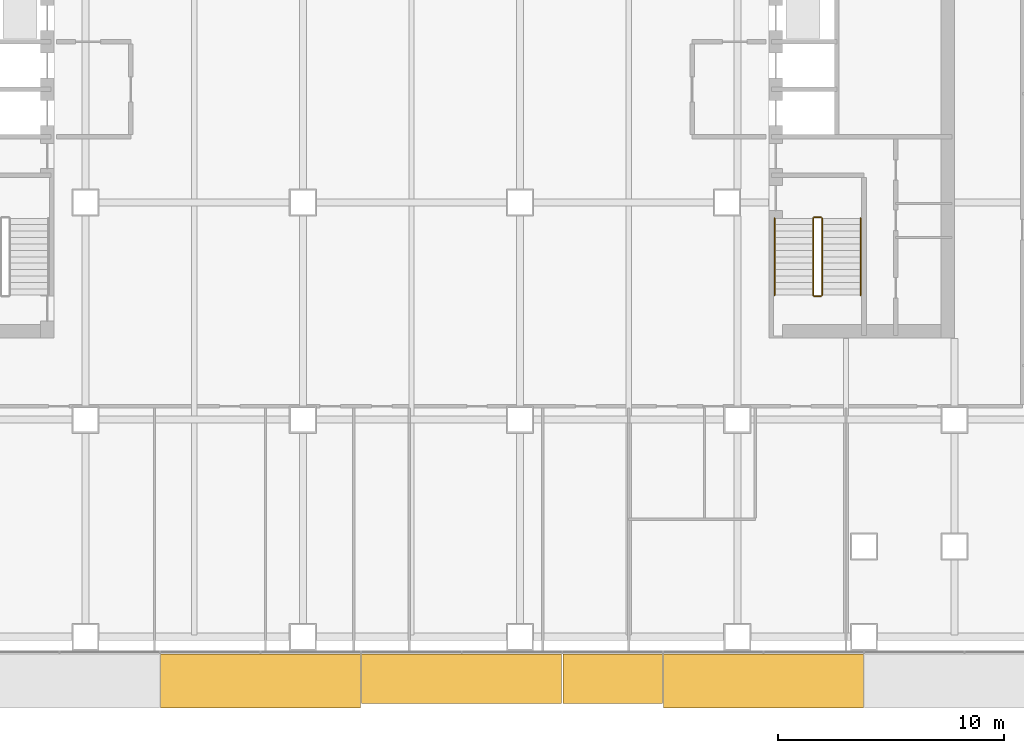
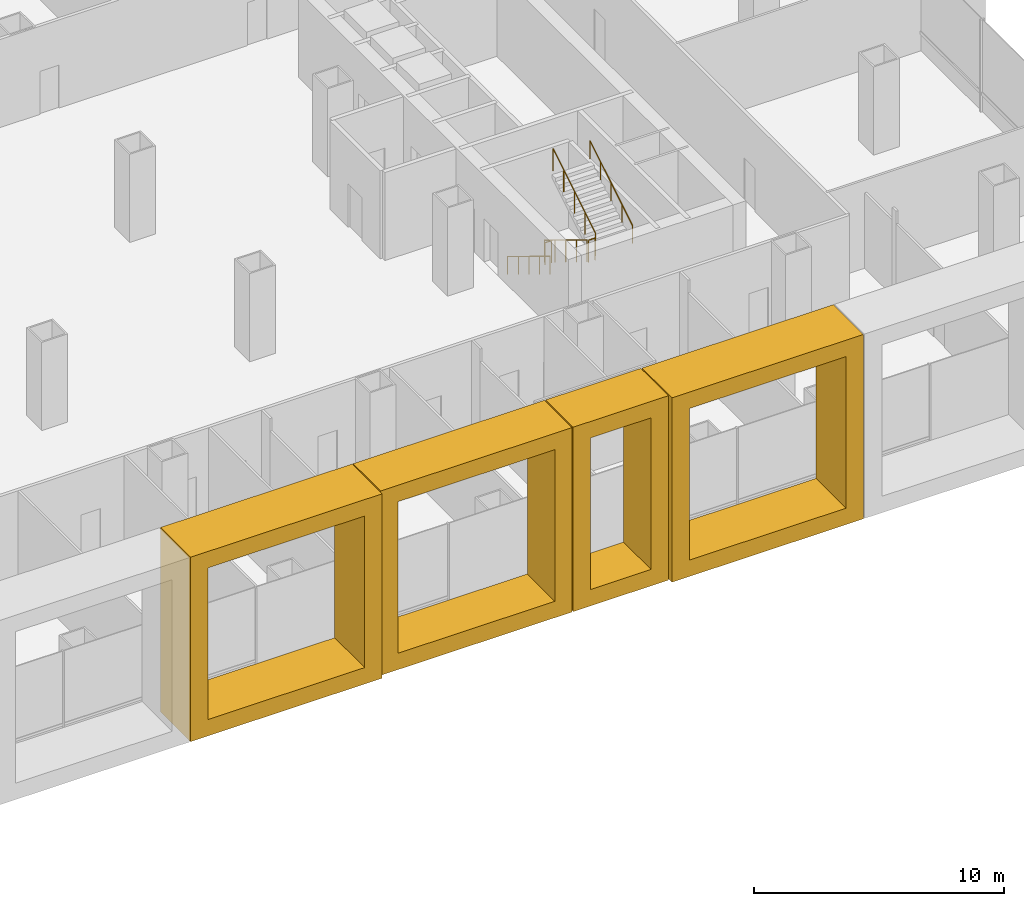
# One storey, part 21 of 23: 6 railings, 4 coverings.
"""IFC4 building model written with IfcOpenShell, lengths in metres."""

import ifcopenshell
import ifcopenshell.guid

model = None  # the IFC model being written
_history = None  # IfcOwnerHistory: only IFC2X3 demands one
_inside = {}  # id of a spatial element -> (the spatial element, [elements in it])
_under = {}  # id of a project, library or spatial element -> (it, [spatial elements below it])
_declared = {}  # id of a project -> (the project, [libraries it declares])
_typed = {}  # id of a type object -> (the type object, [elements of that type])
_made_of = {}  # id of a material, layer set ... -> (it, [elements and type objects made of it])


def new_model(schema):
    """Start an empty IFC model of exactly this schema.

    Asked for "IFC4X3", IfcOpenShell would pick the latest addendum, in which some entities
    have other attributes; the version numbers below select the first issue.
    IFC2X3 requires an IfcOwnerHistory on every rooted entity: one is made here for all.
    """
    global model, _history
    if schema == "IFC4X3":
        model = ifcopenshell.file(schema_version=(4, 3, 0, 0))
    else:
        model = ifcopenshell.file(schema=schema)
    _inside.clear()
    _under.clear()
    _declared.clear()
    _typed.clear()
    _made_of.clear()
    _history = None
    if model.schema == "IFC2X3":
        org = make("IfcOrganization", Name="unknown")
        user = make(
            "IfcPersonAndOrganization",
            ThePerson=make("IfcPerson", FamilyName="unknown"),
            TheOrganization=org,
        )
        app = make(
            "IfcApplication",
            ApplicationDeveloper=org,
            Version="unknown",
            ApplicationFullName="unknown",
            ApplicationIdentifier="unknown",
        )
        _history = make(
            "IfcOwnerHistory",
            OwningUser=user,
            OwningApplication=app,
            ChangeAction="ADDED",
            CreationDate=0,
        )
    return model


def make(cls, **values):
    """One entity of the class cls with the attributes given. An attribute that is None is left unset."""
    return model.create_entity(
        cls, **{name: value for name, value in values.items() if value is not None}
    )


def rooted(cls, **values):
    """An entity with a GlobalId (a new one), such as an element, a storey or a relation."""
    return make(cls, GlobalId=ifcopenshell.guid.new(), OwnerHistory=_history, **values)


def si_unit(unit_type, name, prefix=None):
    """IfcSIUnit, for example si_unit("LENGTHUNIT", "METRE", prefix="MILLI")."""
    return make("IfcSIUnit", UnitType=unit_type, Prefix=prefix, Name=name)


def assignment(units):
    """IfcUnitAssignment: the units of a project."""
    return None if units is None else make("IfcUnitAssignment", Units=units)


def point(xyz):
    """IfcCartesianPoint."""
    return None if xyz is None else make("IfcCartesianPoint", Coordinates=xyz)


def direction(xyz):
    """IfcDirection."""
    return None if xyz is None else make("IfcDirection", DirectionRatios=xyz)


def frame(location, z_axis=None, x_axis=None):
    """IfcAxis2Placement3D, a coordinate frame: its origin and axes. An axis left out is left unset."""
    return make(
        "IfcAxis2Placement3D",
        Location=point(location),
        Axis=direction(z_axis),
        RefDirection=direction(x_axis),
    )


def frame_2d(location, x_axis=None):
    """IfcAxis2Placement2D, a coordinate frame in the plane: its origin and x axis."""
    return make(
        "IfcAxis2Placement2D", Location=point(location), RefDirection=direction(x_axis)
    )


def origin():
    """The frame at (0, 0, 0) with its axes left unset."""
    return frame((0.0, 0.0, 0.0))


def origin_2d():
    """The frame at (0, 0) in the plane with its x axis left unset."""
    return frame_2d((0.0, 0.0))


def place(relative_to, where):
    """IfcLocalPlacement: puts the frame where relative to a parent placement (None: the world)."""
    return make(
        "IfcLocalPlacement", PlacementRelTo=relative_to, RelativePlacement=where
    )


def context(
    kind, dimensions, precision=None, world=None, true_north=None, identifier=None
):
    """IfcGeometricRepresentationContext, for example the 3D "Model" context."""
    return make(
        "IfcGeometricRepresentationContext",
        ContextIdentifier=identifier,
        ContextType=kind,
        CoordinateSpaceDimension=dimensions,
        Precision=precision,
        WorldCoordinateSystem=world,
        TrueNorth=true_north,
    )


def subcontext(parent, identifier, kind, view, scale=None):
    """IfcGeometricRepresentationSubContext, for example "Body" below "Model"."""
    return make(
        "IfcGeometricRepresentationSubContext",
        ContextIdentifier=identifier,
        ContextType=kind,
        ParentContext=parent,
        TargetScale=scale,
        TargetView=view,
    )


def project(units=None, contexts=None):
    """IfcProject with its units and contexts."""
    return rooted(
        "IfcProject",
        Name="project",
        RepresentationContexts=contexts,
        UnitsInContext=assignment(units),
    )


def spatial(cls, under=None, at=None, **own):
    """A site, building, storey or space (cls), placed at a placement, below another one or the project."""
    s = rooted(cls, ObjectPlacement=at, **own)
    if under is not None:
        _under.setdefault(under.id(), (under, []))[1].append(s)
    return s


def polyline(points):
    """IfcPolyline through the points."""
    return make("IfcPolyline", Points=[point(p) for p in points])


def profile(cls, at=None, kind="AREA", **sizes):
    """A parametric profile (cls). Its sizes go by their IFC names, for example OverallWidth=200.0."""
    return make(cls, ProfileType=kind, Position=at, **sizes)


def circle(**sizes):
    """IfcCircleProfileDef."""
    return profile("IfcCircleProfileDef", **sizes)


def outline(outer, holes=None, kind="AREA"):
    """IfcArbitraryClosedProfileDef: a profile drawn as a closed curve; with holes, ...WithVoids."""
    if holes is None:
        return make("IfcArbitraryClosedProfileDef", ProfileType=kind, OuterCurve=outer)
    return make(
        "IfcArbitraryProfileDefWithVoids",
        ProfileType=kind,
        OuterCurve=outer,
        InnerCurves=holes,
    )


def extrude(swept, where, along, depth):
    """IfcExtrudedAreaSolid: the profile swept, set in the frame where, extruded along a direction by depth."""
    return make(
        "IfcExtrudedAreaSolid",
        SweptArea=swept,
        Position=where,
        ExtrudedDirection=direction(along),
        Depth=depth,
    )


def shape(context_of_items, identifier, shape_type, items):
    """IfcShapeRepresentation: the items that make up one representation, for example the "Body"."""
    return make(
        "IfcShapeRepresentation",
        ContextOfItems=context_of_items,
        RepresentationIdentifier=identifier,
        RepresentationType=shape_type,
        Items=items,
    )


def material(Name=None, Category=None):
    """IfcMaterial."""
    return make("IfcMaterial", Name=Name, Category=Category)


def made_of(thing, what):
    """Note that an element or type object is made of a material, layer set ...; save() writes the relation."""
    if what is not None:
        _made_of.setdefault(what.id(), (what, []))[1].append(thing)
    return thing


def type_object(cls, material=None, **own):
    """A type object (cls), such as IfcWallType, which elements share."""
    return made_of(rooted(cls, **own), material)


def element(
    cls,
    number,
    at=None,
    inside=None,
    cuts=None,
    type_object=None,
    material=None,
    context=None,
    identifier="Body",
    shape_type=None,
    held_by="IfcProductDefinitionShape",
    body=None,
    shapes=None,
    **own,
):
    """One element of the class cls, such as IfcWall. Its Tag is "e" and its number.

    at: its placement. inside: the storey or other place that contains it. cuts: it is an
    opening in that element (IfcRelVoidsElement). A single representation is given by context,
    identifier, shape_type and body (its items); several are given by shapes. held_by: the class
    of the entity that holds the representations. save() writes the other relations.
    """
    e = rooted(cls, Tag="e%d" % number, ObjectPlacement=at, **own)
    if body is not None:
        shapes = [shape(context, identifier, shape_type, body)]
    if shapes is not None:
        e.Representation = make(held_by, Representations=shapes)
    if inside is not None:
        _inside.setdefault(inside.id(), (inside, []))[1].append(e)
    if cuts is not None:
        rooted(
            "IfcRelVoidsElement", RelatingBuildingElement=cuts, RelatedOpeningElement=e
        )
    if type_object is not None:
        _typed.setdefault(type_object.id(), (type_object, []))[1].append(e)
    return made_of(e, material)


def aggregate(whole, parts):
    """IfcRelAggregates: a whole, such as a stair, and the parts it consists of."""
    return rooted("IfcRelAggregates", RelatingObject=whole, RelatedObjects=parts)


def save(model, path):
    """Write the relations noted so far, then the file.

    IfcRelAggregates (storeys below a building ...), IfcRelContainedInSpatialStructure (elements
    in a storey), IfcRelDefinesByType, IfcRelAssociatesMaterial and IfcRelDeclares: one each for
    every whole, place, type object, material and project.
    """
    for whole, parts in _under.values():
        aggregate(whole, parts)
    for where, things in _inside.values():
        rooted(
            "IfcRelContainedInSpatialStructure",
            RelatedElements=things,
            RelatingStructure=where,
        )
    for kind, things in _typed.values():
        rooted("IfcRelDefinesByType", RelatedObjects=things, RelatingType=kind)
    for what, things in _made_of.values():
        rooted("IfcRelAssociatesMaterial", RelatedObjects=things, RelatingMaterial=what)
    for by, libraries in _declared.values():
        rooted("IfcRelDeclares", RelatingContext=by, RelatedDefinitions=libraries)
    model.write(path)


model = new_model("IFC4")

# Units and contexts
model_context = context("Model", 3, precision=1e-05, world=origin(), true_north=direction((0.0, 1.0)))
body_context = subcontext(model_context, "Body", "Model", "MODEL_VIEW")
ifc_project = project(units=[si_unit("LENGTHUNIT", "METRE"), si_unit("AREAUNIT", "SQUARE_METRE"), si_unit("VOLUMEUNIT", "CUBIC_METRE"), si_unit("PLANEANGLEUNIT", "RADIAN"), si_unit("MASSUNIT", "GRAM", prefix="KILO")], contexts=[model_context])

# Site, building, storey
site_placement = place(None, origin())
site = spatial("IfcSite", under=ifc_project, at=site_placement, CompositionType="ELEMENT")
building_placement = place(site_placement, origin())
building = spatial("IfcBuilding", under=site, at=building_placement, Name="Cobrizo Arcos Hotel Tower", CompositionType="ELEMENT")
storey_placement = place(building_placement, frame((0.0, 0.0, 24.5)))
storey = spatial("IfcBuildingStorey", under=building, at=storey_placement, Name="L04", CompositionType="ELEMENT", Elevation=24.5)

# Coverings
ifc_material_1 = material(Name="Aluminium 6063-T6 anodised bronze", Category="aluminium")
covering_type_1 = type_object("IfcCoveringType", Name="FIN-F 2200", PredefinedType="CLADDING", material=ifc_material_1)
covering_1_placement = place(storey_placement, frame((-2.197265625, -24.75, 0.0), z_axis=(0.0, -1.0, 0.0), x_axis=(1.0, 0.0, 0.0)))
element("IfcCovering", 1, at=covering_1_placement, inside=storey, type_object=covering_type_1, Name="Fin frame 501", PredefinedType="CLADDING", context=body_context, shape_type="SweptSolid", body=[
    extrude(outline(polyline([(0.0, 9.0), (0.0, 0.0), (8.8388671875, 0.0), (8.8388671875, 9.0), (0.0, 9.0)]), holes=[polyline([(8.038818359375, 0.800048828125), (0.800048828125, 0.800048828125), (0.800048828125, 8.199951171875), (8.038818359375, 8.199951171875), (8.038818359375, 0.800048828125)])]), origin(), (0.0, 0.0, 1.0), 2.199951171875),
])
covering_2_placement = place(storey_placement, frame((6.691650390625, -24.75, 0.0), z_axis=(0.0, -1.0, 0.0), x_axis=(1.0, 0.0, 0.0)))
element("IfcCovering", 2, at=covering_2_placement, inside=storey, type_object=covering_type_1, Name="Fin frame 502", PredefinedType="CLADDING", context=body_context, shape_type="SweptSolid", body=[
    extrude(outline(polyline([(0.0, 9.0), (0.0, 0.0), (4.394287109375, 0.0), (4.394287109375, 9.0), (0.0, 9.0)]), holes=[polyline([(3.594482421875, 0.800048828125), (0.800048828125, 0.800048828125), (0.800048828125, 8.199951171875), (3.594482421875, 8.199951171875), (3.594482421875, 0.800048828125)])]), origin(), (0.0, 0.0, 1.0), 2.199951171875),
])
covering_type_2 = type_object("IfcCoveringType", Name="FIN-F 2400", PredefinedType="CLADDING", material=ifc_material_1)
for number, where, z_axis, x_axis, name in (
    (3, (-11.086181640625, -24.75, 0.0), (0.0, -1.0, 0.0), (1.0, 0.0, 0.0), "Fin frame 500"),
    (4, (11.135986328125, -24.75, 0.0), (0.0, -1.0, 0.0), (1.0, 0.0, 0.0), "Fin frame 503"),
):
    element("IfcCovering", number, at=place(storey_placement, frame(where, z_axis=z_axis, x_axis=x_axis)), inside=storey, type_object=covering_type_2, Name=name, PredefinedType="CLADDING", context=body_context, shape_type="SweptSolid", body=[
        extrude(outline(polyline([(0.0, 9.0), (0.0, 0.0), (8.8388671875, 0.0), (8.8388671875, 9.0), (0.0, 9.0)]), holes=[polyline([(8.038818359375, 0.800048828125), (0.800048828125, 0.800048828125), (0.800048828125, 8.199951171875), (8.038818359375, 8.199951171875), (8.038818359375, 0.800048828125)])]), origin(), (0.0, 0.0, 1.0), 2.39990234375),
    ])

# Railings
ifc_material_2 = material(Name="Stainless steel railing", Category="steel")
railing_type_1 = type_object("IfcRailingType", Name="Stair guard 1100", PredefinedType="GUARDRAIL", material=ifc_material_2)
railing_1_placement = place(storey_placement, frame((17.75, -5.5, 0.173095703125)))
element("IfcRailing", 5, at=railing_1_placement, inside=storey, type_object=railing_type_1, Name="L04 ST-E stair guard 1", PredefinedType="GUARDRAIL", context=body_context, shape_type="SweptSolid", body=[
    extrude(circle(Radius=0.02392578125, at=origin_2d()), frame((0.0, 0.0, 1.076171875), z_axis=(0.0, -0.853372706543, 0.52130127923), x_axis=(1.0, 0.0, 0.0)), (0.0, 0.0, 1.0), 3.984130859375),
    extrude(circle(Radius=0.02099609375, at=origin_2d()), origin(), (0.0, 0.0, 1.0), 1.052001953125),
    extrude(circle(Radius=0.02099609375, at=origin_2d()), frame((0.0, -0.85009765625, 0.519287109375)), (0.0, 0.0, 1.0), 1.052001953125),
    extrude(circle(Radius=0.02099609375, at=origin_2d()), frame((0.0, -1.699951171875, 1.03857421875)), (0.0, 0.0, 1.0), 1.052001953125),
    extrude(circle(Radius=0.02099609375, at=origin_2d()), frame((0.0, -2.5498046875, 1.5576171875)), (0.0, 0.0, 1.0), 1.052001953125),
    extrude(circle(Radius=0.02099609375, at=origin_2d()), frame((0.0, -3.39990234375, 2.076904296875)), (0.0, 0.0, 1.0), 1.052001953125),
])
railing_2_placement = place(storey_placement, frame((17.800048828125, -8.949951171875, 2.25)))
element("IfcRailing", 6, at=railing_2_placement, inside=storey, type_object=railing_type_1, Name="L04 ST-E stair guard 2", PredefinedType="GUARDRAIL", context=body_context, shape_type="SweptSolid", body=[
    extrude(circle(Radius=0.02392578125, at=origin_2d()), frame((0.0, 0.0, 1.076171875), z_axis=(1.0, 0.0, 0.0), x_axis=(0.0, 1.0, 0.0)), (0.0, 0.0, 1.0), 0.300048828125),
    extrude(circle(Radius=0.02099609375, at=origin_2d()), origin(), (0.0, 0.0, 1.0), 1.052001953125),
    extrude(circle(Radius=0.02099609375, at=origin_2d()), frame((0.300048828125, 0.0, 0.0)), (0.0, 0.0, 1.0), 1.052001953125),
])
railing_3_placement = place(storey_placement, frame((18.14990234375, -8.89990234375, 2.423095703125)))
element("IfcRailing", 7, at=railing_3_placement, inside=storey, type_object=railing_type_1, Name="L04 ST-E stair guard 3", PredefinedType="GUARDRAIL", context=body_context, shape_type="SweptSolid", body=[
    extrude(circle(Radius=0.02392578125, at=origin_2d()), frame((0.0, 0.0, 1.076171875), z_axis=(0.0, 0.853372706543, 0.52130127923), x_axis=(-1.0, 0.0, 0.0)), (0.0, 0.0, 1.0), 3.984130859375),
    extrude(circle(Radius=0.02099609375, at=origin_2d()), origin(), (0.0, 0.0, 1.0), 1.052001953125),
    extrude(circle(Radius=0.02099609375, at=origin_2d()), frame((0.0, 0.85009765625, 0.519287109375)), (0.0, 0.0, 1.0), 1.052001953125),
    extrude(circle(Radius=0.02099609375, at=origin_2d()), frame((0.0, 1.699951171875, 1.03857421875)), (0.0, 0.0, 1.0), 1.052001953125),
    extrude(circle(Radius=0.02099609375, at=origin_2d()), frame((0.0, 2.5498046875, 1.5576171875)), (0.0, 0.0, 1.0), 1.052001953125),
    extrude(circle(Radius=0.02099609375, at=origin_2d()), frame((0.0, 3.39990234375, 2.076904296875)), (0.0, 0.0, 1.0), 1.052001953125),
])
railing_4_placement = place(storey_placement, frame((17.800048828125, -5.449951171875, 0.0)))
element("IfcRailing", 8, at=railing_4_placement, inside=storey, type_object=railing_type_1, Name="L04 ST-E stair guard 4", PredefinedType="GUARDRAIL", context=body_context, shape_type="SweptSolid", body=[
    extrude(circle(Radius=0.02392578125, at=origin_2d()), frame((0.0, 0.0, 1.076171875), z_axis=(1.0, 0.0, 0.0), x_axis=(0.0, 1.0, 0.0)), (0.0, 0.0, 1.0), 0.300048828125),
    extrude(circle(Radius=0.02099609375, at=origin_2d()), origin(), (0.0, 0.0, 1.0), 1.052001953125),
    extrude(circle(Radius=0.02099609375, at=origin_2d()), frame((0.300048828125, 0.0, 0.0)), (0.0, 0.0, 1.0), 1.052001953125),
])
railing_type_2 = type_object("IfcRailingType", Name="Stair handrail", PredefinedType="HANDRAIL", material=ifc_material_2)
railing_5_placement = place(storey_placement, frame((16.050048828125, -5.5, 0.173095703125)))
element("IfcRailing", 9, at=railing_5_placement, inside=storey, type_object=railing_type_2, Name="L04 ST-E stair handrail 1", PredefinedType="HANDRAIL", context=body_context, shape_type="SweptSolid", body=[
    extrude(circle(Radius=0.02392578125, at=origin_2d()), frame((0.0, 0.0, 0.8759765625), z_axis=(0.0, -0.853372706543, 0.52130127923), x_axis=(1.0, 0.0, 0.0)), (0.0, 0.0, 1.0), 3.984130859375),
    extrude(circle(Radius=0.02099609375, at=origin_2d()), origin(), (0.0, 0.0, 1.0), 0.851806640625),
    extrude(circle(Radius=0.02099609375, at=origin_2d()), frame((0.0, -0.85009765625, 0.519287109375)), (0.0, 0.0, 1.0), 0.851806640625),
    extrude(circle(Radius=0.02099609375, at=origin_2d()), frame((0.0, -1.699951171875, 1.03857421875)), (0.0, 0.0, 1.0), 0.851806640625),
    extrude(circle(Radius=0.02099609375, at=origin_2d()), frame((0.0, -2.5498046875, 1.5576171875)), (0.0, 0.0, 1.0), 0.851806640625),
    extrude(circle(Radius=0.02099609375, at=origin_2d()), frame((0.0, -3.39990234375, 2.076904296875)), (0.0, 0.0, 1.0), 0.851806640625),
])
railing_6_placement = place(storey_placement, frame((19.85009765625, -8.89990234375, 2.423095703125)))
element("IfcRailing", 10, at=railing_6_placement, inside=storey, type_object=railing_type_2, Name="L04 ST-E stair handrail 2", PredefinedType="HANDRAIL", context=body_context, shape_type="SweptSolid", body=[
    extrude(circle(Radius=0.02392578125, at=origin_2d()), frame((0.0, 0.0, 0.8759765625), z_axis=(0.0, 0.853372706543, 0.52130127923), x_axis=(-1.0, 0.0, 0.0)), (0.0, 0.0, 1.0), 3.984130859375),
    extrude(circle(Radius=0.02099609375, at=origin_2d()), origin(), (0.0, 0.0, 1.0), 0.851806640625),
    extrude(circle(Radius=0.02099609375, at=origin_2d()), frame((0.0, 0.85009765625, 0.519287109375)), (0.0, 0.0, 1.0), 0.851806640625),
    extrude(circle(Radius=0.02099609375, at=origin_2d()), frame((0.0, 1.699951171875, 1.03857421875)), (0.0, 0.0, 1.0), 0.851806640625),
    extrude(circle(Radius=0.02099609375, at=origin_2d()), frame((0.0, 2.5498046875, 1.5576171875)), (0.0, 0.0, 1.0), 0.851806640625),
    extrude(circle(Radius=0.02099609375, at=origin_2d()), frame((0.0, 3.39990234375, 2.076904296875)), (0.0, 0.0, 1.0), 0.851806640625),
])

save(model, "model.ifc")
